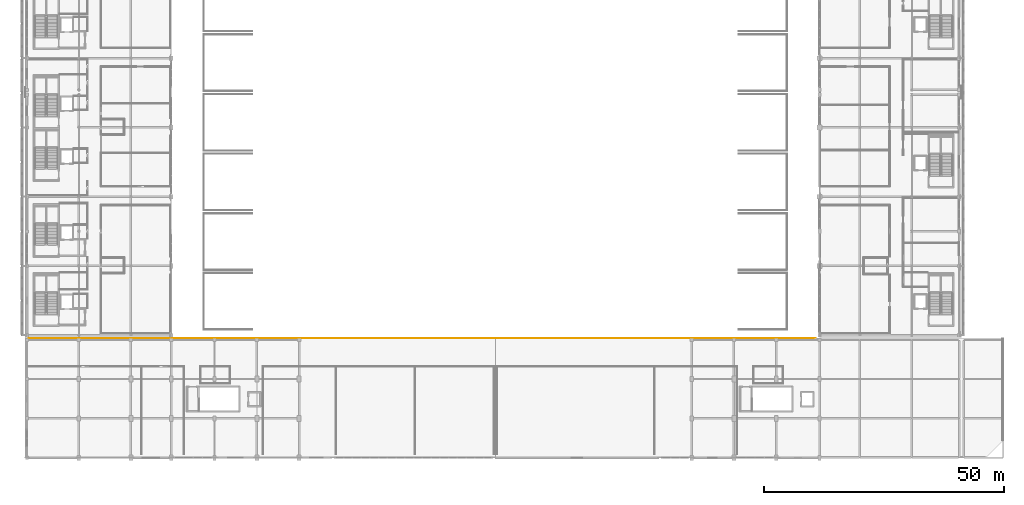
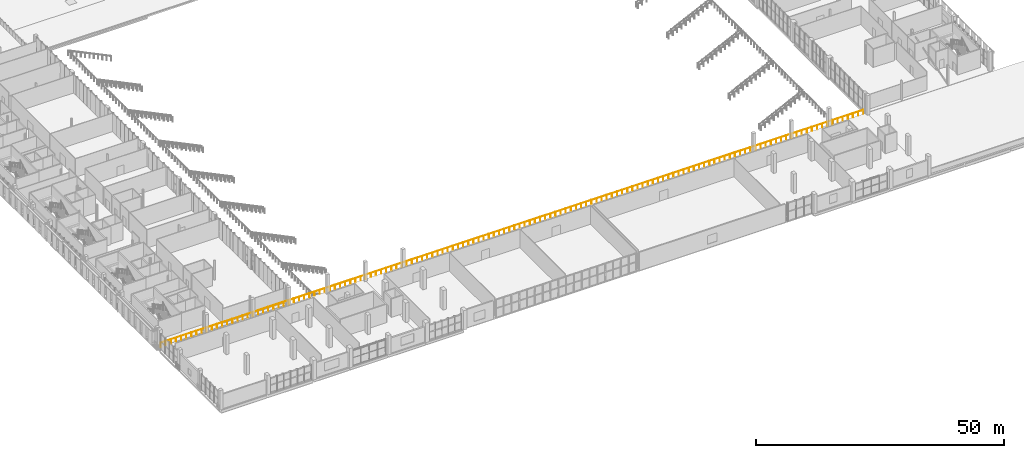
# One storey, part 84 of 104: 1 railing.
"""IFC4 building model written with IfcOpenShell, lengths in metres."""

from ifc_helpers import new_model, si_unit, direction, frame, origin, origin_2d, place, context, subcontext, project, spatial, circle, extrude, material, type_object, element, save


model = new_model("IFC4")

# Units and contexts
model_context = context("Model", 3, precision=1e-05, world=origin(), true_north=direction((0.0, 1.0)))
body_context = subcontext(model_context, "Body", "Model", "MODEL_VIEW")
ifc_project = project(units=[si_unit("LENGTHUNIT", "METRE"), si_unit("AREAUNIT", "SQUARE_METRE"), si_unit("VOLUMEUNIT", "CUBIC_METRE"), si_unit("PLANEANGLEUNIT", "RADIAN"), si_unit("MASSUNIT", "GRAM", prefix="KILO")], contexts=[model_context])

# Site, building, storey
site_placement = place(None, origin())
site = spatial("IfcSite", under=ifc_project, at=site_placement, CompositionType="ELEMENT")
building_placement = place(site_placement, origin())
building = spatial("IfcBuilding", under=site, at=building_placement, Name="Koshinbarg Plaza Stadium", CompositionType="ELEMENT")
storey_placement = place(building_placement, frame((0.0, 0.0, 19.800048828125)))
storey = spatial("IfcBuildingStorey", under=building, at=storey_placement, Name="L04", CompositionType="ELEMENT", Elevation=19.800048828125)

# Railing
ifc_material = material(Name="Toughened laminated glass and stainless steel sightline balustrade", Category="steel")
railing_type = type_object("IfcRailingType", Name="RL-BOWL-1100", PredefinedType="BALUSTRADE", material=ifc_material)
railing_placement = place(storey_placement, frame((25.0, 24.8798828125, 0.0)))
element("IfcRailing", 1, at=railing_placement, inside=storey, type_object=railing_type, Name="L04 bowl concourse sightline balustrade 0026", PredefinedType="BALUSTRADE", context=body_context, shape_type="SweptSolid", body=[
    extrude(circle(Radius=0.02392578125, at=origin_2d()), frame((0.0, 0.0, 1.076171875), z_axis=(1.0, 0.0, 0.0), x_axis=(0.0, 1.0, 0.0)), (0.0, 0.0, 1.0), 163.60009765625),
    extrude(circle(Radius=0.02099609375, at=origin_2d()), origin(), (0.0, 0.0, 1.0), 1.052001953125),
    extrude(circle(Radius=0.02099609375, at=origin_2d()), frame((1.194091796875, 0.0, 0.0)), (0.0, 0.0, 1.0), 1.052001953125),
    extrude(circle(Radius=0.02099609375, at=origin_2d()), frame((2.388427734375, 0.0, 0.0)), (0.0, 0.0, 1.0), 1.052001953125),
    extrude(circle(Radius=0.02099609375, at=origin_2d()), frame((3.58251953125, 0.0, 0.0)), (0.0, 0.0, 1.0), 1.052001953125),
    extrude(circle(Radius=0.02099609375, at=origin_2d()), frame((4.776611328125, 0.0, 0.0)), (0.0, 0.0, 1.0), 1.052001953125),
    extrude(circle(Radius=0.02099609375, at=origin_2d()), frame((5.970703125, 0.0, 0.0)), (0.0, 0.0, 1.0), 1.052001953125),
    extrude(circle(Radius=0.02099609375, at=origin_2d()), frame((7.1650390625, 0.0, 0.0)), (0.0, 0.0, 1.0), 1.052001953125),
    extrude(circle(Radius=0.02099609375, at=origin_2d()), frame((8.359130859375, 0.0, 0.0)), (0.0, 0.0, 1.0), 1.052001953125),
    extrude(circle(Radius=0.02099609375, at=origin_2d()), frame((9.55322265625, 0.0, 0.0)), (0.0, 0.0, 1.0), 1.052001953125),
    extrude(circle(Radius=0.02099609375, at=origin_2d()), frame((10.74755859375, 0.0, 0.0)), (0.0, 0.0, 1.0), 1.052001953125),
    extrude(circle(Radius=0.02099609375, at=origin_2d()), frame((11.941650390625, 0.0, 0.0)), (0.0, 0.0, 1.0), 1.052001953125),
    extrude(circle(Radius=0.02099609375, at=origin_2d()), frame((13.1357421875, 0.0, 0.0)), (0.0, 0.0, 1.0), 1.052001953125),
    extrude(circle(Radius=0.02099609375, at=origin_2d()), frame((14.329833984375, 0.0, 0.0)), (0.0, 0.0, 1.0), 1.052001953125),
    extrude(circle(Radius=0.02099609375, at=origin_2d()), frame((15.524169921875, 0.0, 0.0)), (0.0, 0.0, 1.0), 1.052001953125),
    extrude(circle(Radius=0.02099609375, at=origin_2d()), frame((16.71826171875, 0.0, 0.0)), (0.0, 0.0, 1.0), 1.052001953125),
    extrude(circle(Radius=0.02099609375, at=origin_2d()), frame((17.912353515625, 0.0, 0.0)), (0.0, 0.0, 1.0), 1.052001953125),
    extrude(circle(Radius=0.02099609375, at=origin_2d()), frame((19.106689453125, 0.0, 0.0)), (0.0, 0.0, 1.0), 1.052001953125),
    extrude(circle(Radius=0.02099609375, at=origin_2d()), frame((20.30078125, 0.0, 0.0)), (0.0, 0.0, 1.0), 1.052001953125),
    extrude(circle(Radius=0.02099609375, at=origin_2d()), frame((21.494873046875, 0.0, 0.0)), (0.0, 0.0, 1.0), 1.052001953125),
    extrude(circle(Radius=0.02099609375, at=origin_2d()), frame((22.68896484375, 0.0, 0.0)), (0.0, 0.0, 1.0), 1.052001953125),
    extrude(circle(Radius=0.02099609375, at=origin_2d()), frame((23.88330078125, 0.0, 0.0)), (0.0, 0.0, 1.0), 1.052001953125),
    extrude(circle(Radius=0.02099609375, at=origin_2d()), frame((25.077392578125, 0.0, 0.0)), (0.0, 0.0, 1.0), 1.052001953125),
    extrude(circle(Radius=0.02099609375, at=origin_2d()), frame((26.271484375, 0.0, 0.0)), (0.0, 0.0, 1.0), 1.052001953125),
    extrude(circle(Radius=0.02099609375, at=origin_2d()), frame((27.4658203125, 0.0, 0.0)), (0.0, 0.0, 1.0), 1.052001953125),
    extrude(circle(Radius=0.02099609375, at=origin_2d()), frame((28.659912109375, 0.0, 0.0)), (0.0, 0.0, 1.0), 1.052001953125),
    extrude(circle(Radius=0.02099609375, at=origin_2d()), frame((29.85400390625, 0.0, 0.0)), (0.0, 0.0, 1.0), 1.052001953125),
    extrude(circle(Radius=0.02099609375, at=origin_2d()), frame((31.048095703125, 0.0, 0.0)), (0.0, 0.0, 1.0), 1.052001953125),
    extrude(circle(Radius=0.02099609375, at=origin_2d()), frame((32.242431640625, 0.0, 0.0)), (0.0, 0.0, 1.0), 1.052001953125),
    extrude(circle(Radius=0.02099609375, at=origin_2d()), frame((33.4365234375, 0.0, 0.0)), (0.0, 0.0, 1.0), 1.052001953125),
    extrude(circle(Radius=0.02099609375, at=origin_2d()), frame((34.630615234375, 0.0, 0.0)), (0.0, 0.0, 1.0), 1.052001953125),
    extrude(circle(Radius=0.02099609375, at=origin_2d()), frame((35.824951171875, 0.0, 0.0)), (0.0, 0.0, 1.0), 1.052001953125),
    extrude(circle(Radius=0.02099609375, at=origin_2d()), frame((37.01904296875, 0.0, 0.0)), (0.0, 0.0, 1.0), 1.052001953125),
    extrude(circle(Radius=0.02099609375, at=origin_2d()), frame((38.213134765625, 0.0, 0.0)), (0.0, 0.0, 1.0), 1.052001953125),
    extrude(circle(Radius=0.02099609375, at=origin_2d()), frame((39.4072265625, 0.0, 0.0)), (0.0, 0.0, 1.0), 1.052001953125),
    extrude(circle(Radius=0.02099609375, at=origin_2d()), frame((40.6015625, 0.0, 0.0)), (0.0, 0.0, 1.0), 1.052001953125),
    extrude(circle(Radius=0.02099609375, at=origin_2d()), frame((41.795654296875, 0.0, 0.0)), (0.0, 0.0, 1.0), 1.052001953125),
    extrude(circle(Radius=0.02099609375, at=origin_2d()), frame((42.98974609375, 0.0, 0.0)), (0.0, 0.0, 1.0), 1.052001953125),
    extrude(circle(Radius=0.02099609375, at=origin_2d()), frame((44.18408203125, 0.0, 0.0)), (0.0, 0.0, 1.0), 1.052001953125),
    extrude(circle(Radius=0.02099609375, at=origin_2d()), frame((45.378173828125, 0.0, 0.0)), (0.0, 0.0, 1.0), 1.052001953125),
    extrude(circle(Radius=0.02099609375, at=origin_2d()), frame((46.572265625, 0.0, 0.0)), (0.0, 0.0, 1.0), 1.052001953125),
    extrude(circle(Radius=0.02099609375, at=origin_2d()), frame((47.766357421875, 0.0, 0.0)), (0.0, 0.0, 1.0), 1.052001953125),
    extrude(circle(Radius=0.02099609375, at=origin_2d()), frame((48.960693359375, 0.0, 0.0)), (0.0, 0.0, 1.0), 1.052001953125),
    extrude(circle(Radius=0.02099609375, at=origin_2d()), frame((50.15478515625, 0.0, 0.0)), (0.0, 0.0, 1.0), 1.052001953125),
    extrude(circle(Radius=0.02099609375, at=origin_2d()), frame((51.348876953125, 0.0, 0.0)), (0.0, 0.0, 1.0), 1.052001953125),
    extrude(circle(Radius=0.02099609375, at=origin_2d()), frame((52.543212890625, 0.0, 0.0)), (0.0, 0.0, 1.0), 1.052001953125),
    extrude(circle(Radius=0.02099609375, at=origin_2d()), frame((53.7373046875, 0.0, 0.0)), (0.0, 0.0, 1.0), 1.052001953125),
    extrude(circle(Radius=0.02099609375, at=origin_2d()), frame((54.931396484375, 0.0, 0.0)), (0.0, 0.0, 1.0), 1.052001953125),
    extrude(circle(Radius=0.02099609375, at=origin_2d()), frame((56.12548828125, 0.0, 0.0)), (0.0, 0.0, 1.0), 1.052001953125),
    extrude(circle(Radius=0.02099609375, at=origin_2d()), frame((57.31982421875, 0.0, 0.0)), (0.0, 0.0, 1.0), 1.052001953125),
    extrude(circle(Radius=0.02099609375, at=origin_2d()), frame((58.513916015625, 0.0, 0.0)), (0.0, 0.0, 1.0), 1.052001953125),
    extrude(circle(Radius=0.02099609375, at=origin_2d()), frame((59.7080078125, 0.0, 0.0)), (0.0, 0.0, 1.0), 1.052001953125),
    extrude(circle(Radius=0.02099609375, at=origin_2d()), frame((60.90234375, 0.0, 0.0)), (0.0, 0.0, 1.0), 1.052001953125),
    extrude(circle(Radius=0.02099609375, at=origin_2d()), frame((62.096435546875, 0.0, 0.0)), (0.0, 0.0, 1.0), 1.052001953125),
    extrude(circle(Radius=0.02099609375, at=origin_2d()), frame((63.29052734375, 0.0, 0.0)), (0.0, 0.0, 1.0), 1.052001953125),
    extrude(circle(Radius=0.02099609375, at=origin_2d()), frame((64.484619140625, 0.0, 0.0)), (0.0, 0.0, 1.0), 1.052001953125),
    extrude(circle(Radius=0.02099609375, at=origin_2d()), frame((65.678955078125, 0.0, 0.0)), (0.0, 0.0, 1.0), 1.052001953125),
    extrude(circle(Radius=0.02099609375, at=origin_2d()), frame((66.873046875, 0.0, 0.0)), (0.0, 0.0, 1.0), 1.052001953125),
    extrude(circle(Radius=0.02099609375, at=origin_2d()), frame((68.067138671875, 0.0, 0.0)), (0.0, 0.0, 1.0), 1.052001953125),
    extrude(circle(Radius=0.02099609375, at=origin_2d()), frame((69.261474609375, 0.0, 0.0)), (0.0, 0.0, 1.0), 1.052001953125),
    extrude(circle(Radius=0.02099609375, at=origin_2d()), frame((70.45556640625, 0.0, 0.0)), (0.0, 0.0, 1.0), 1.052001953125),
    extrude(circle(Radius=0.02099609375, at=origin_2d()), frame((71.649658203125, 0.0, 0.0)), (0.0, 0.0, 1.0), 1.052001953125),
    extrude(circle(Radius=0.02099609375, at=origin_2d()), frame((72.84375, 0.0, 0.0)), (0.0, 0.0, 1.0), 1.052001953125),
    extrude(circle(Radius=0.02099609375, at=origin_2d()), frame((74.0380859375, 0.0, 0.0)), (0.0, 0.0, 1.0), 1.052001953125),
    extrude(circle(Radius=0.02099609375, at=origin_2d()), frame((75.232177734375, 0.0, 0.0)), (0.0, 0.0, 1.0), 1.052001953125),
    extrude(circle(Radius=0.02099609375, at=origin_2d()), frame((76.42626953125, 0.0, 0.0)), (0.0, 0.0, 1.0), 1.052001953125),
    extrude(circle(Radius=0.02099609375, at=origin_2d()), frame((77.62060546875, 0.0, 0.0)), (0.0, 0.0, 1.0), 1.052001953125),
    extrude(circle(Radius=0.02099609375, at=origin_2d()), frame((78.814697265625, 0.0, 0.0)), (0.0, 0.0, 1.0), 1.052001953125),
    extrude(circle(Radius=0.02099609375, at=origin_2d()), frame((80.0087890625, 0.0, 0.0)), (0.0, 0.0, 1.0), 1.052001953125),
    extrude(circle(Radius=0.02099609375, at=origin_2d()), frame((81.202880859375, 0.0, 0.0)), (0.0, 0.0, 1.0), 1.052001953125),
    extrude(circle(Radius=0.02099609375, at=origin_2d()), frame((82.397216796875, 0.0, 0.0)), (0.0, 0.0, 1.0), 1.052001953125),
    extrude(circle(Radius=0.02099609375, at=origin_2d()), frame((83.59130859375, 0.0, 0.0)), (0.0, 0.0, 1.0), 1.052001953125),
    extrude(circle(Radius=0.02099609375, at=origin_2d()), frame((84.785400390625, 0.0, 0.0)), (0.0, 0.0, 1.0), 1.052001953125),
    extrude(circle(Radius=0.02099609375, at=origin_2d()), frame((85.9794921875, 0.0, 0.0)), (0.0, 0.0, 1.0), 1.052001953125),
    extrude(circle(Radius=0.02099609375, at=origin_2d()), frame((87.173828125, 0.0, 0.0)), (0.0, 0.0, 1.0), 1.052001953125),
    extrude(circle(Radius=0.02099609375, at=origin_2d()), frame((88.367919921875, 0.0, 0.0)), (0.0, 0.0, 1.0), 1.052001953125),
    extrude(circle(Radius=0.02099609375, at=origin_2d()), frame((89.56201171875, 0.0, 0.0)), (0.0, 0.0, 1.0), 1.052001953125),
    extrude(circle(Radius=0.02099609375, at=origin_2d()), frame((90.75634765625, 0.0, 0.0)), (0.0, 0.0, 1.0), 1.052001953125),
    extrude(circle(Radius=0.02099609375, at=origin_2d()), frame((91.950439453125, 0.0, 0.0)), (0.0, 0.0, 1.0), 1.052001953125),
    extrude(circle(Radius=0.02099609375, at=origin_2d()), frame((93.14453125, 0.0, 0.0)), (0.0, 0.0, 1.0), 1.052001953125),
    extrude(circle(Radius=0.02099609375, at=origin_2d()), frame((94.338623046875, 0.0, 0.0)), (0.0, 0.0, 1.0), 1.052001953125),
    extrude(circle(Radius=0.02099609375, at=origin_2d()), frame((95.532958984375, 0.0, 0.0)), (0.0, 0.0, 1.0), 1.052001953125),
    extrude(circle(Radius=0.02099609375, at=origin_2d()), frame((96.72705078125, 0.0, 0.0)), (0.0, 0.0, 1.0), 1.052001953125),
    extrude(circle(Radius=0.02099609375, at=origin_2d()), frame((97.921142578125, 0.0, 0.0)), (0.0, 0.0, 1.0), 1.052001953125),
    extrude(circle(Radius=0.02099609375, at=origin_2d()), frame((99.115478515625, 0.0, 0.0)), (0.0, 0.0, 1.0), 1.052001953125),
    extrude(circle(Radius=0.02099609375, at=origin_2d()), frame((100.3095703125, 0.0, 0.0)), (0.0, 0.0, 1.0), 1.052001953125),
    extrude(circle(Radius=0.02099609375, at=origin_2d()), frame((101.503662109375, 0.0, 0.0)), (0.0, 0.0, 1.0), 1.052001953125),
    extrude(circle(Radius=0.02099609375, at=origin_2d()), frame((102.69775390625, 0.0, 0.0)), (0.0, 0.0, 1.0), 1.052001953125),
    extrude(circle(Radius=0.02099609375, at=origin_2d()), frame((103.89208984375, 0.0, 0.0)), (0.0, 0.0, 1.0), 1.052001953125),
    extrude(circle(Radius=0.02099609375, at=origin_2d()), frame((105.086181640625, 0.0, 0.0)), (0.0, 0.0, 1.0), 1.052001953125),
    extrude(circle(Radius=0.02099609375, at=origin_2d()), frame((106.2802734375, 0.0, 0.0)), (0.0, 0.0, 1.0), 1.052001953125),
    extrude(circle(Radius=0.02099609375, at=origin_2d()), frame((107.474609375, 0.0, 0.0)), (0.0, 0.0, 1.0), 1.052001953125),
    extrude(circle(Radius=0.02099609375, at=origin_2d()), frame((108.668701171875, 0.0, 0.0)), (0.0, 0.0, 1.0), 1.052001953125),
    extrude(circle(Radius=0.02099609375, at=origin_2d()), frame((109.86279296875, 0.0, 0.0)), (0.0, 0.0, 1.0), 1.052001953125),
    extrude(circle(Radius=0.02099609375, at=origin_2d()), frame((111.056884765625, 0.0, 0.0)), (0.0, 0.0, 1.0), 1.052001953125),
    extrude(circle(Radius=0.02099609375, at=origin_2d()), frame((112.251220703125, 0.0, 0.0)), (0.0, 0.0, 1.0), 1.052001953125),
    extrude(circle(Radius=0.02099609375, at=origin_2d()), frame((113.4453125, 0.0, 0.0)), (0.0, 0.0, 1.0), 1.052001953125),
    extrude(circle(Radius=0.02099609375, at=origin_2d()), frame((114.639404296875, 0.0, 0.0)), (0.0, 0.0, 1.0), 1.052001953125),
    extrude(circle(Radius=0.02099609375, at=origin_2d()), frame((115.833740234375, 0.0, 0.0)), (0.0, 0.0, 1.0), 1.052001953125),
    extrude(circle(Radius=0.02099609375, at=origin_2d()), frame((117.02783203125, 0.0, 0.0)), (0.0, 0.0, 1.0), 1.052001953125),
    extrude(circle(Radius=0.02099609375, at=origin_2d()), frame((118.221923828125, 0.0, 0.0)), (0.0, 0.0, 1.0), 1.052001953125),
    extrude(circle(Radius=0.02099609375, at=origin_2d()), frame((119.416015625, 0.0, 0.0)), (0.0, 0.0, 1.0), 1.052001953125),
    extrude(circle(Radius=0.02099609375, at=origin_2d()), frame((120.6103515625, 0.0, 0.0)), (0.0, 0.0, 1.0), 1.052001953125),
    extrude(circle(Radius=0.02099609375, at=origin_2d()), frame((121.804443359375, 0.0, 0.0)), (0.0, 0.0, 1.0), 1.052001953125),
    extrude(circle(Radius=0.02099609375, at=origin_2d()), frame((122.99853515625, 0.0, 0.0)), (0.0, 0.0, 1.0), 1.052001953125),
    extrude(circle(Radius=0.02099609375, at=origin_2d()), frame((124.19287109375, 0.0, 0.0)), (0.0, 0.0, 1.0), 1.052001953125),
    extrude(circle(Radius=0.02099609375, at=origin_2d()), frame((125.386962890625, 0.0, 0.0)), (0.0, 0.0, 1.0), 1.052001953125),
    extrude(circle(Radius=0.02099609375, at=origin_2d()), frame((126.5810546875, 0.0, 0.0)), (0.0, 0.0, 1.0), 1.052001953125),
    extrude(circle(Radius=0.02099609375, at=origin_2d()), frame((127.775146484375, 0.0, 0.0)), (0.0, 0.0, 1.0), 1.052001953125),
    extrude(circle(Radius=0.02099609375, at=origin_2d()), frame((128.969482421875, 0.0, 0.0)), (0.0, 0.0, 1.0), 1.052001953125),
    extrude(circle(Radius=0.02099609375, at=origin_2d()), frame((130.16357421875, 0.0, 0.0)), (0.0, 0.0, 1.0), 1.052001953125),
    extrude(circle(Radius=0.02099609375, at=origin_2d()), frame((131.357666015625, 0.0, 0.0)), (0.0, 0.0, 1.0), 1.052001953125),
    extrude(circle(Radius=0.02099609375, at=origin_2d()), frame((132.552001953125, 0.0, 0.0)), (0.0, 0.0, 1.0), 1.052001953125),
    extrude(circle(Radius=0.02099609375, at=origin_2d()), frame((133.74609375, 0.0, 0.0)), (0.0, 0.0, 1.0), 1.052001953125),
    extrude(circle(Radius=0.02099609375, at=origin_2d()), frame((134.940185546875, 0.0, 0.0)), (0.0, 0.0, 1.0), 1.052001953125),
    extrude(circle(Radius=0.02099609375, at=origin_2d()), frame((136.13427734375, 0.0, 0.0)), (0.0, 0.0, 1.0), 1.052001953125),
    extrude(circle(Radius=0.02099609375, at=origin_2d()), frame((137.32861328125, 0.0, 0.0)), (0.0, 0.0, 1.0), 1.052001953125),
    extrude(circle(Radius=0.02099609375, at=origin_2d()), frame((138.522705078125, 0.0, 0.0)), (0.0, 0.0, 1.0), 1.052001953125),
    extrude(circle(Radius=0.02099609375, at=origin_2d()), frame((139.716796875, 0.0, 0.0)), (0.0, 0.0, 1.0), 1.052001953125),
    extrude(circle(Radius=0.02099609375, at=origin_2d()), frame((140.9111328125, 0.0, 0.0)), (0.0, 0.0, 1.0), 1.052001953125),
    extrude(circle(Radius=0.02099609375, at=origin_2d()), frame((142.105224609375, 0.0, 0.0)), (0.0, 0.0, 1.0), 1.052001953125),
    extrude(circle(Radius=0.02099609375, at=origin_2d()), frame((143.29931640625, 0.0, 0.0)), (0.0, 0.0, 1.0), 1.052001953125),
    extrude(circle(Radius=0.02099609375, at=origin_2d()), frame((144.493408203125, 0.0, 0.0)), (0.0, 0.0, 1.0), 1.052001953125),
    extrude(circle(Radius=0.02099609375, at=origin_2d()), frame((145.687744140625, 0.0, 0.0)), (0.0, 0.0, 1.0), 1.052001953125),
    extrude(circle(Radius=0.02099609375, at=origin_2d()), frame((146.8818359375, 0.0, 0.0)), (0.0, 0.0, 1.0), 1.052001953125),
    extrude(circle(Radius=0.02099609375, at=origin_2d()), frame((148.075927734375, 0.0, 0.0)), (0.0, 0.0, 1.0), 1.052001953125),
    extrude(circle(Radius=0.02099609375, at=origin_2d()), frame((149.270263671875, 0.0, 0.0)), (0.0, 0.0, 1.0), 1.052001953125),
    extrude(circle(Radius=0.02099609375, at=origin_2d()), frame((150.46435546875, 0.0, 0.0)), (0.0, 0.0, 1.0), 1.052001953125),
    extrude(circle(Radius=0.02099609375, at=origin_2d()), frame((151.658447265625, 0.0, 0.0)), (0.0, 0.0, 1.0), 1.052001953125),
    extrude(circle(Radius=0.02099609375, at=origin_2d()), frame((152.8525390625, 0.0, 0.0)), (0.0, 0.0, 1.0), 1.052001953125),
    extrude(circle(Radius=0.02099609375, at=origin_2d()), frame((154.046875, 0.0, 0.0)), (0.0, 0.0, 1.0), 1.052001953125),
    extrude(circle(Radius=0.02099609375, at=origin_2d()), frame((155.240966796875, 0.0, 0.0)), (0.0, 0.0, 1.0), 1.052001953125),
    extrude(circle(Radius=0.02099609375, at=origin_2d()), frame((156.43505859375, 0.0, 0.0)), (0.0, 0.0, 1.0), 1.052001953125),
    extrude(circle(Radius=0.02099609375, at=origin_2d()), frame((157.62939453125, 0.0, 0.0)), (0.0, 0.0, 1.0), 1.052001953125),
    extrude(circle(Radius=0.02099609375, at=origin_2d()), frame((158.823486328125, 0.0, 0.0)), (0.0, 0.0, 1.0), 1.052001953125),
    extrude(circle(Radius=0.02099609375, at=origin_2d()), frame((160.017578125, 0.0, 0.0)), (0.0, 0.0, 1.0), 1.052001953125),
    extrude(circle(Radius=0.02099609375, at=origin_2d()), frame((161.211669921875, 0.0, 0.0)), (0.0, 0.0, 1.0), 1.052001953125),
    extrude(circle(Radius=0.02099609375, at=origin_2d()), frame((162.406005859375, 0.0, 0.0)), (0.0, 0.0, 1.0), 1.052001953125),
    extrude(circle(Radius=0.02099609375, at=origin_2d()), frame((163.60009765625, 0.0, 0.0)), (0.0, 0.0, 1.0), 1.052001953125),
])

save(model, "model.ifc")
